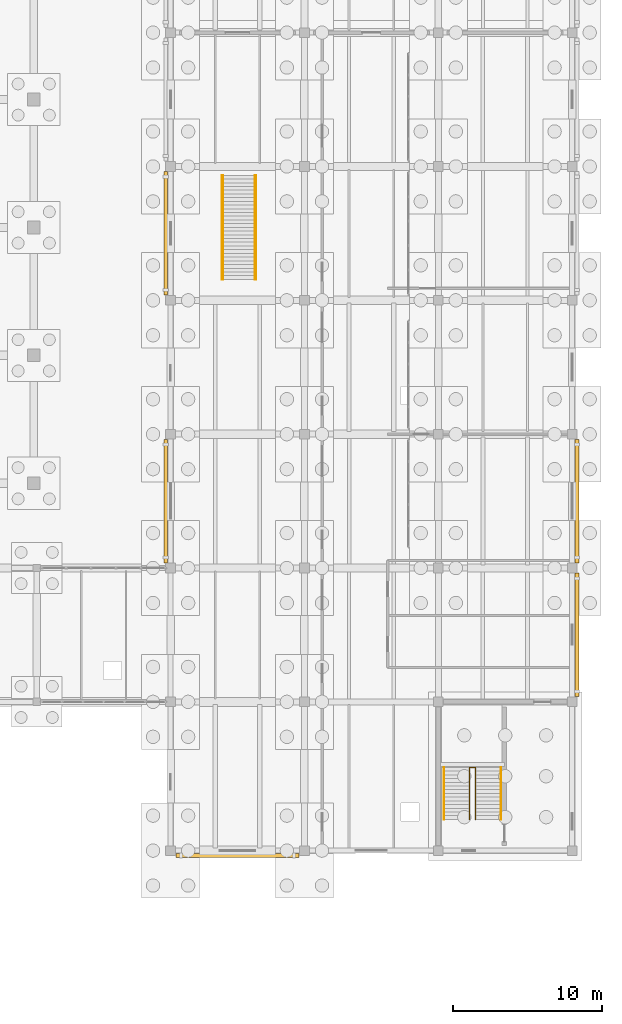
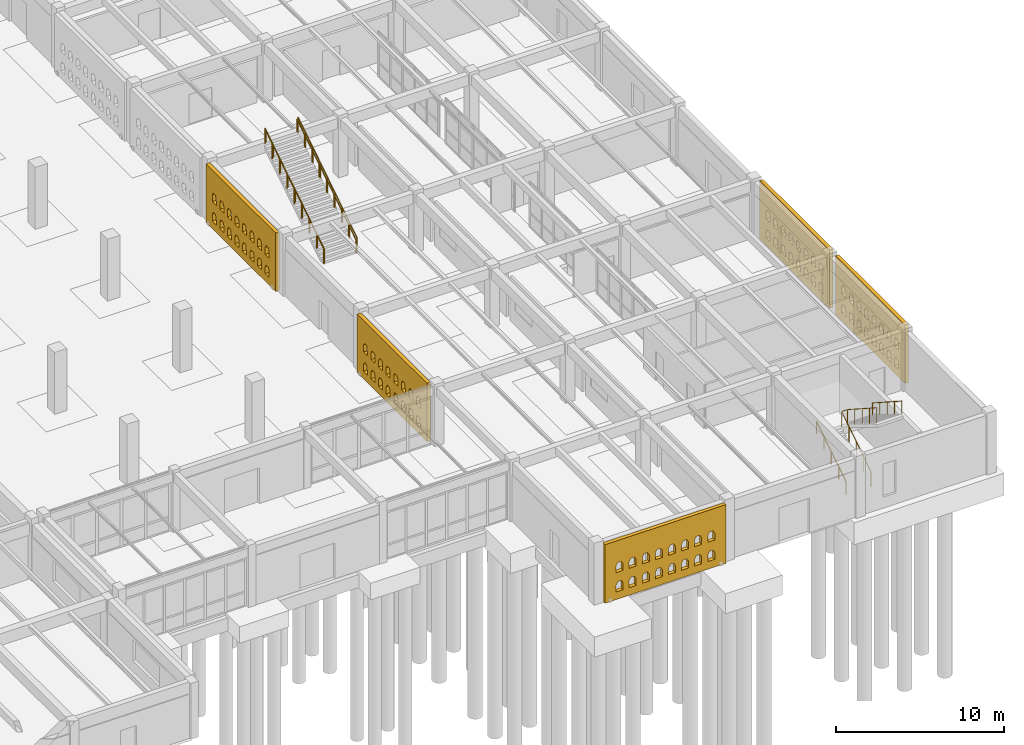
# One storey, part 183 of 186: 7 railings, 5 coverings.
"""IFC4 building model written with IfcOpenShell, lengths in metres."""

from ifc_helpers import new_model, si_unit, direction, frame, origin, origin_2d, place, context, subcontext, project, spatial, polyline, circle, outline, extrude, material, layer, layer_set, type_object, element, save


model = new_model("IFC4")

# Units and contexts
model_context = context("Model", 3, precision=1e-05, world=origin(), true_north=direction((0.0, 1.0)))
body_context = subcontext(model_context, "Body", "Model", "MODEL_VIEW")
ifc_project = project(units=[si_unit("LENGTHUNIT", "METRE"), si_unit("AREAUNIT", "SQUARE_METRE"), si_unit("VOLUMEUNIT", "CUBIC_METRE"), si_unit("PLANEANGLEUNIT", "RADIAN"), si_unit("MASSUNIT", "GRAM", prefix="KILO")], contexts=[model_context])

# Site, building, storey
site_placement = place(None, origin())
site = spatial("IfcSite", under=ifc_project, at=site_placement, CompositionType="ELEMENT")
building_placement = place(site_placement, origin())
building = spatial("IfcBuilding", under=site, at=building_placement, Name="Ornek Quay Market", CompositionType="ELEMENT")
storey_placement = place(building_placement, origin())
storey = spatial("IfcBuildingStorey", under=building, at=storey_placement, Name="L00", CompositionType="ELEMENT", Elevation=0.0)

# Coverings
ifc_material_1 = material(Name="Frost-resistant facing clay brick M200 F100", Category="masonry")
ifc_layer = layer(ifc_material_1, 0.25, Name="Frost-resistant facing clay brick M200 F100", Category="masonry")
ifc_layer_set = layer_set([ifc_layer], Name="Frost-resistant facing clay brick M200 F100")
covering_type = type_object("IfcCoveringType", Name="COV-BRICK-LATTICE-250", PredefinedType="CLADDING", material=ifc_layer_set)
covering_1_placement = place(storey_placement, frame((152.669921875, 29.35009765625, 0.0), z_axis=(0.0, 0.0, 1.0), x_axis=(0.0, 1.0, 0.0)))
element("IfcCovering", 1, at=covering_1_placement, inside=storey, type_object=covering_type, Name="Arched brick lattice screen BLS-088", PredefinedType="CLADDING", context=body_context, shape_type="SweptSolid", body=[
    extrude(outline(polyline([(0.0, 0.0), (8.2998046875, 0.0), (8.2998046875, 4.25), (0.0, 4.25), (0.0, 0.0)]), holes=[polyline([(0.760009765625, 0.550048828125), (1.239990234375, 0.550048828125), (1.239990234375, 1.050048828125), (1.1201171875, 1.2578125), (0.8798828125, 1.2578125), (0.760009765625, 1.050048828125), (0.760009765625, 0.550048828125)]), polyline([(0.760009765625, 1.949951171875), (1.239990234375, 1.949951171875), (1.239990234375, 2.449951171875), (1.1201171875, 2.65771484375), (0.8798828125, 2.65771484375), (0.760009765625, 2.449951171875), (0.760009765625, 1.949951171875)]), polyline([(1.659912109375, 0.550048828125), (2.139892578125, 0.550048828125), (2.139892578125, 1.050048828125), (2.02001953125, 1.2578125), (1.780029296875, 1.2578125), (1.659912109375, 1.050048828125), (1.659912109375, 0.550048828125)]), polyline([(1.659912109375, 1.949951171875), (2.139892578125, 1.949951171875), (2.139892578125, 2.449951171875), (2.02001953125, 2.65771484375), (1.780029296875, 2.65771484375), (1.659912109375, 2.449951171875), (1.659912109375, 1.949951171875)]), polyline([(2.56005859375, 0.550048828125), (3.0400390625, 0.550048828125), (3.0400390625, 1.050048828125), (2.919921875, 1.2578125), (2.679931640625, 1.2578125), (2.56005859375, 1.050048828125), (2.56005859375, 0.550048828125)]), polyline([(2.56005859375, 1.949951171875), (3.0400390625, 1.949951171875), (3.0400390625, 2.449951171875), (2.919921875, 2.65771484375), (2.679931640625, 2.65771484375), (2.56005859375, 2.449951171875), (2.56005859375, 1.949951171875)]), polyline([(3.4599609375, 0.550048828125), (3.93994140625, 0.550048828125), (3.93994140625, 1.050048828125), (3.820068359375, 1.2578125), (3.580078125, 1.2578125), (3.4599609375, 1.050048828125), (3.4599609375, 0.550048828125)]), polyline([(3.4599609375, 1.949951171875), (3.93994140625, 1.949951171875), (3.93994140625, 2.449951171875), (3.820068359375, 2.65771484375), (3.580078125, 2.65771484375), (3.4599609375, 2.449951171875), (3.4599609375, 1.949951171875)]), polyline([(4.360107421875, 0.550048828125), (4.840087890625, 0.550048828125), (4.840087890625, 1.050048828125), (4.719970703125, 1.2578125), (4.47998046875, 1.2578125), (4.360107421875, 1.050048828125), (4.360107421875, 0.550048828125)]), polyline([(4.360107421875, 1.949951171875), (4.840087890625, 1.949951171875), (4.840087890625, 2.449951171875), (4.719970703125, 2.65771484375), (4.47998046875, 2.65771484375), (4.360107421875, 2.449951171875), (4.360107421875, 1.949951171875)]), polyline([(5.260009765625, 0.550048828125), (5.739990234375, 0.550048828125), (5.739990234375, 1.050048828125), (5.6201171875, 1.2578125), (5.3798828125, 1.2578125), (5.260009765625, 1.050048828125), (5.260009765625, 0.550048828125)]), polyline([(5.260009765625, 1.949951171875), (5.739990234375, 1.949951171875), (5.739990234375, 2.449951171875), (5.6201171875, 2.65771484375), (5.3798828125, 2.65771484375), (5.260009765625, 2.449951171875), (5.260009765625, 1.949951171875)]), polyline([(6.159912109375, 0.550048828125), (6.639892578125, 0.550048828125), (6.639892578125, 1.050048828125), (6.52001953125, 1.2578125), (6.280029296875, 1.2578125), (6.159912109375, 1.050048828125), (6.159912109375, 0.550048828125)]), polyline([(6.159912109375, 1.949951171875), (6.639892578125, 1.949951171875), (6.639892578125, 2.449951171875), (6.52001953125, 2.65771484375), (6.280029296875, 2.65771484375), (6.159912109375, 2.449951171875), (6.159912109375, 1.949951171875)]), polyline([(7.06005859375, 0.550048828125), (7.5400390625, 0.550048828125), (7.5400390625, 1.050048828125), (7.419921875, 1.2578125), (7.179931640625, 1.2578125), (7.06005859375, 1.050048828125), (7.06005859375, 0.550048828125)]), polyline([(7.06005859375, 1.949951171875), (7.5400390625, 1.949951171875), (7.5400390625, 2.449951171875), (7.419921875, 2.65771484375), (7.179931640625, 2.65771484375), (7.06005859375, 2.449951171875), (7.06005859375, 1.949951171875)])]), frame((0.0, 0.125, 0.0), z_axis=(0.0, -1.0, 0.0), x_axis=(1.0, 0.0, 0.0)), (0.0, 0.0, 1.0), 0.25),
])
covering_2_placement = place(storey_placement, frame((152.669921875, 47.35009765625, 0.0), z_axis=(0.0, 0.0, 1.0), x_axis=(0.0, 1.0, 0.0)))
element("IfcCovering", 2, at=covering_2_placement, inside=storey, type_object=covering_type, Name="Arched brick lattice screen BLS-089", PredefinedType="CLADDING", context=body_context, shape_type="SweptSolid", body=[
    extrude(outline(polyline([(0.0, 0.0), (8.2998046875, 0.0), (8.2998046875, 4.25), (0.0, 4.25), (0.0, 0.0)]), holes=[polyline([(0.760009765625, 0.550048828125), (1.239990234375, 0.550048828125), (1.239990234375, 1.050048828125), (1.1201171875, 1.2578125), (0.8798828125, 1.2578125), (0.760009765625, 1.050048828125), (0.760009765625, 0.550048828125)]), polyline([(0.760009765625, 1.949951171875), (1.239990234375, 1.949951171875), (1.239990234375, 2.449951171875), (1.1201171875, 2.65771484375), (0.8798828125, 2.65771484375), (0.760009765625, 2.449951171875), (0.760009765625, 1.949951171875)]), polyline([(1.659912109375, 0.550048828125), (2.139892578125, 0.550048828125), (2.139892578125, 1.050048828125), (2.02001953125, 1.2578125), (1.780029296875, 1.2578125), (1.659912109375, 1.050048828125), (1.659912109375, 0.550048828125)]), polyline([(1.659912109375, 1.949951171875), (2.139892578125, 1.949951171875), (2.139892578125, 2.449951171875), (2.02001953125, 2.65771484375), (1.780029296875, 2.65771484375), (1.659912109375, 2.449951171875), (1.659912109375, 1.949951171875)]), polyline([(2.56005859375, 0.550048828125), (3.0400390625, 0.550048828125), (3.0400390625, 1.050048828125), (2.919921875, 1.2578125), (2.679931640625, 1.2578125), (2.56005859375, 1.050048828125), (2.56005859375, 0.550048828125)]), polyline([(2.56005859375, 1.949951171875), (3.0400390625, 1.949951171875), (3.0400390625, 2.449951171875), (2.919921875, 2.65771484375), (2.679931640625, 2.65771484375), (2.56005859375, 2.449951171875), (2.56005859375, 1.949951171875)]), polyline([(3.4599609375, 0.550048828125), (3.93994140625, 0.550048828125), (3.93994140625, 1.050048828125), (3.820068359375, 1.2578125), (3.580078125, 1.2578125), (3.4599609375, 1.050048828125), (3.4599609375, 0.550048828125)]), polyline([(3.4599609375, 1.949951171875), (3.93994140625, 1.949951171875), (3.93994140625, 2.449951171875), (3.820068359375, 2.65771484375), (3.580078125, 2.65771484375), (3.4599609375, 2.449951171875), (3.4599609375, 1.949951171875)]), polyline([(4.360107421875, 0.550048828125), (4.840087890625, 0.550048828125), (4.840087890625, 1.050048828125), (4.719970703125, 1.2578125), (4.47998046875, 1.2578125), (4.360107421875, 1.050048828125), (4.360107421875, 0.550048828125)]), polyline([(4.360107421875, 1.949951171875), (4.840087890625, 1.949951171875), (4.840087890625, 2.449951171875), (4.719970703125, 2.65771484375), (4.47998046875, 2.65771484375), (4.360107421875, 2.449951171875), (4.360107421875, 1.949951171875)]), polyline([(5.260009765625, 0.550048828125), (5.739990234375, 0.550048828125), (5.739990234375, 1.050048828125), (5.6201171875, 1.2578125), (5.3798828125, 1.2578125), (5.260009765625, 1.050048828125), (5.260009765625, 0.550048828125)]), polyline([(5.260009765625, 1.949951171875), (5.739990234375, 1.949951171875), (5.739990234375, 2.449951171875), (5.6201171875, 2.65771484375), (5.3798828125, 2.65771484375), (5.260009765625, 2.449951171875), (5.260009765625, 1.949951171875)]), polyline([(6.159912109375, 0.550048828125), (6.639892578125, 0.550048828125), (6.639892578125, 1.050048828125), (6.52001953125, 1.2578125), (6.280029296875, 1.2578125), (6.159912109375, 1.050048828125), (6.159912109375, 0.550048828125)]), polyline([(6.159912109375, 1.949951171875), (6.639892578125, 1.949951171875), (6.639892578125, 2.449951171875), (6.52001953125, 2.65771484375), (6.280029296875, 2.65771484375), (6.159912109375, 2.449951171875), (6.159912109375, 1.949951171875)]), polyline([(7.06005859375, 0.550048828125), (7.5400390625, 0.550048828125), (7.5400390625, 1.050048828125), (7.419921875, 1.2578125), (7.179931640625, 1.2578125), (7.06005859375, 1.050048828125), (7.06005859375, 0.550048828125)]), polyline([(7.06005859375, 1.949951171875), (7.5400390625, 1.949951171875), (7.5400390625, 2.449951171875), (7.419921875, 2.65771484375), (7.179931640625, 2.65771484375), (7.06005859375, 2.449951171875), (7.06005859375, 1.949951171875)])]), frame((0.0, 0.125, 0.0), z_axis=(0.0, -1.0, 0.0), x_axis=(1.0, 0.0, 0.0)), (0.0, 0.0, 1.0), 0.25),
])
covering_3_placement = place(storey_placement, frame((180.330078125, 20.35009765625, 0.0), z_axis=(0.0, 0.0, 1.0), x_axis=(0.0, 1.0, 0.0)))
element("IfcCovering", 3, at=covering_3_placement, inside=storey, type_object=covering_type, Name="Arched brick lattice screen BLS-091", PredefinedType="CLADDING", context=body_context, shape_type="SweptSolid", body=[
    extrude(outline(polyline([(0.0, 0.0), (8.2998046875, 0.0), (8.2998046875, 4.25), (0.0, 4.25), (0.0, 0.0)]), holes=[polyline([(0.760009765625, 0.550048828125), (1.239990234375, 0.550048828125), (1.239990234375, 1.050048828125), (1.1201171875, 1.2578125), (0.8798828125, 1.2578125), (0.760009765625, 1.050048828125), (0.760009765625, 0.550048828125)]), polyline([(0.760009765625, 1.949951171875), (1.239990234375, 1.949951171875), (1.239990234375, 2.449951171875), (1.1201171875, 2.65771484375), (0.8798828125, 2.65771484375), (0.760009765625, 2.449951171875), (0.760009765625, 1.949951171875)]), polyline([(1.659912109375, 0.550048828125), (2.139892578125, 0.550048828125), (2.139892578125, 1.050048828125), (2.02001953125, 1.2578125), (1.780029296875, 1.2578125), (1.659912109375, 1.050048828125), (1.659912109375, 0.550048828125)]), polyline([(1.659912109375, 1.949951171875), (2.139892578125, 1.949951171875), (2.139892578125, 2.449951171875), (2.02001953125, 2.65771484375), (1.780029296875, 2.65771484375), (1.659912109375, 2.449951171875), (1.659912109375, 1.949951171875)]), polyline([(2.56005859375, 0.550048828125), (3.0400390625, 0.550048828125), (3.0400390625, 1.050048828125), (2.919921875, 1.2578125), (2.679931640625, 1.2578125), (2.56005859375, 1.050048828125), (2.56005859375, 0.550048828125)]), polyline([(2.56005859375, 1.949951171875), (3.0400390625, 1.949951171875), (3.0400390625, 2.449951171875), (2.919921875, 2.65771484375), (2.679931640625, 2.65771484375), (2.56005859375, 2.449951171875), (2.56005859375, 1.949951171875)]), polyline([(3.4599609375, 0.550048828125), (3.93994140625, 0.550048828125), (3.93994140625, 1.050048828125), (3.820068359375, 1.2578125), (3.580078125, 1.2578125), (3.4599609375, 1.050048828125), (3.4599609375, 0.550048828125)]), polyline([(3.4599609375, 1.949951171875), (3.93994140625, 1.949951171875), (3.93994140625, 2.449951171875), (3.820068359375, 2.65771484375), (3.580078125, 2.65771484375), (3.4599609375, 2.449951171875), (3.4599609375, 1.949951171875)]), polyline([(4.360107421875, 0.550048828125), (4.840087890625, 0.550048828125), (4.840087890625, 1.050048828125), (4.719970703125, 1.2578125), (4.47998046875, 1.2578125), (4.360107421875, 1.050048828125), (4.360107421875, 0.550048828125)]), polyline([(4.360107421875, 1.949951171875), (4.840087890625, 1.949951171875), (4.840087890625, 2.449951171875), (4.719970703125, 2.65771484375), (4.47998046875, 2.65771484375), (4.360107421875, 2.449951171875), (4.360107421875, 1.949951171875)]), polyline([(5.260009765625, 0.550048828125), (5.739990234375, 0.550048828125), (5.739990234375, 1.050048828125), (5.6201171875, 1.2578125), (5.3798828125, 1.2578125), (5.260009765625, 1.050048828125), (5.260009765625, 0.550048828125)]), polyline([(5.260009765625, 1.949951171875), (5.739990234375, 1.949951171875), (5.739990234375, 2.449951171875), (5.6201171875, 2.65771484375), (5.3798828125, 2.65771484375), (5.260009765625, 2.449951171875), (5.260009765625, 1.949951171875)]), polyline([(6.159912109375, 0.550048828125), (6.639892578125, 0.550048828125), (6.639892578125, 1.050048828125), (6.52001953125, 1.2578125), (6.280029296875, 1.2578125), (6.159912109375, 1.050048828125), (6.159912109375, 0.550048828125)]), polyline([(6.159912109375, 1.949951171875), (6.639892578125, 1.949951171875), (6.639892578125, 2.449951171875), (6.52001953125, 2.65771484375), (6.280029296875, 2.65771484375), (6.159912109375, 2.449951171875), (6.159912109375, 1.949951171875)]), polyline([(7.06005859375, 0.550048828125), (7.5400390625, 0.550048828125), (7.5400390625, 1.050048828125), (7.419921875, 1.2578125), (7.179931640625, 1.2578125), (7.06005859375, 1.050048828125), (7.06005859375, 0.550048828125)]), polyline([(7.06005859375, 1.949951171875), (7.5400390625, 1.949951171875), (7.5400390625, 2.449951171875), (7.419921875, 2.65771484375), (7.179931640625, 2.65771484375), (7.06005859375, 2.449951171875), (7.06005859375, 1.949951171875)])]), frame((0.0, 0.125, 0.0), z_axis=(0.0, -1.0, 0.0), x_axis=(1.0, 0.0, 0.0)), (0.0, 0.0, 1.0), 0.25),
])
covering_4_placement = place(storey_placement, frame((180.330078125, 29.35009765625, 0.0), z_axis=(0.0, 0.0, 1.0), x_axis=(0.0, 1.0, 0.0)))
element("IfcCovering", 4, at=covering_4_placement, inside=storey, type_object=covering_type, Name="Arched brick lattice screen BLS-092", PredefinedType="CLADDING", context=body_context, shape_type="SweptSolid", body=[
    extrude(outline(polyline([(0.0, 0.0), (8.2998046875, 0.0), (8.2998046875, 4.25), (0.0, 4.25), (0.0, 0.0)]), holes=[polyline([(0.760009765625, 0.550048828125), (1.239990234375, 0.550048828125), (1.239990234375, 1.050048828125), (1.1201171875, 1.2578125), (0.8798828125, 1.2578125), (0.760009765625, 1.050048828125), (0.760009765625, 0.550048828125)]), polyline([(0.760009765625, 1.949951171875), (1.239990234375, 1.949951171875), (1.239990234375, 2.449951171875), (1.1201171875, 2.65771484375), (0.8798828125, 2.65771484375), (0.760009765625, 2.449951171875), (0.760009765625, 1.949951171875)]), polyline([(1.659912109375, 0.550048828125), (2.139892578125, 0.550048828125), (2.139892578125, 1.050048828125), (2.02001953125, 1.2578125), (1.780029296875, 1.2578125), (1.659912109375, 1.050048828125), (1.659912109375, 0.550048828125)]), polyline([(1.659912109375, 1.949951171875), (2.139892578125, 1.949951171875), (2.139892578125, 2.449951171875), (2.02001953125, 2.65771484375), (1.780029296875, 2.65771484375), (1.659912109375, 2.449951171875), (1.659912109375, 1.949951171875)]), polyline([(2.56005859375, 0.550048828125), (3.0400390625, 0.550048828125), (3.0400390625, 1.050048828125), (2.919921875, 1.2578125), (2.679931640625, 1.2578125), (2.56005859375, 1.050048828125), (2.56005859375, 0.550048828125)]), polyline([(2.56005859375, 1.949951171875), (3.0400390625, 1.949951171875), (3.0400390625, 2.449951171875), (2.919921875, 2.65771484375), (2.679931640625, 2.65771484375), (2.56005859375, 2.449951171875), (2.56005859375, 1.949951171875)]), polyline([(3.4599609375, 0.550048828125), (3.93994140625, 0.550048828125), (3.93994140625, 1.050048828125), (3.820068359375, 1.2578125), (3.580078125, 1.2578125), (3.4599609375, 1.050048828125), (3.4599609375, 0.550048828125)]), polyline([(3.4599609375, 1.949951171875), (3.93994140625, 1.949951171875), (3.93994140625, 2.449951171875), (3.820068359375, 2.65771484375), (3.580078125, 2.65771484375), (3.4599609375, 2.449951171875), (3.4599609375, 1.949951171875)]), polyline([(4.360107421875, 0.550048828125), (4.840087890625, 0.550048828125), (4.840087890625, 1.050048828125), (4.719970703125, 1.2578125), (4.47998046875, 1.2578125), (4.360107421875, 1.050048828125), (4.360107421875, 0.550048828125)]), polyline([(4.360107421875, 1.949951171875), (4.840087890625, 1.949951171875), (4.840087890625, 2.449951171875), (4.719970703125, 2.65771484375), (4.47998046875, 2.65771484375), (4.360107421875, 2.449951171875), (4.360107421875, 1.949951171875)]), polyline([(5.260009765625, 0.550048828125), (5.739990234375, 0.550048828125), (5.739990234375, 1.050048828125), (5.6201171875, 1.2578125), (5.3798828125, 1.2578125), (5.260009765625, 1.050048828125), (5.260009765625, 0.550048828125)]), polyline([(5.260009765625, 1.949951171875), (5.739990234375, 1.949951171875), (5.739990234375, 2.449951171875), (5.6201171875, 2.65771484375), (5.3798828125, 2.65771484375), (5.260009765625, 2.449951171875), (5.260009765625, 1.949951171875)]), polyline([(6.159912109375, 0.550048828125), (6.639892578125, 0.550048828125), (6.639892578125, 1.050048828125), (6.52001953125, 1.2578125), (6.280029296875, 1.2578125), (6.159912109375, 1.050048828125), (6.159912109375, 0.550048828125)]), polyline([(6.159912109375, 1.949951171875), (6.639892578125, 1.949951171875), (6.639892578125, 2.449951171875), (6.52001953125, 2.65771484375), (6.280029296875, 2.65771484375), (6.159912109375, 2.449951171875), (6.159912109375, 1.949951171875)]), polyline([(7.06005859375, 0.550048828125), (7.5400390625, 0.550048828125), (7.5400390625, 1.050048828125), (7.419921875, 1.2578125), (7.179931640625, 1.2578125), (7.06005859375, 1.050048828125), (7.06005859375, 0.550048828125)]), polyline([(7.06005859375, 1.949951171875), (7.5400390625, 1.949951171875), (7.5400390625, 2.449951171875), (7.419921875, 2.65771484375), (7.179931640625, 2.65771484375), (7.06005859375, 2.449951171875), (7.06005859375, 1.949951171875)])]), frame((0.0, 0.125, 0.0), z_axis=(0.0, -1.0, 0.0), x_axis=(1.0, 0.0, 0.0)), (0.0, 0.0, 1.0), 0.25),
])
covering_5_placement = place(storey_placement, frame((153.35009765625, 9.669921875, 0.0), z_axis=(0.0, 0.0, 1.0), x_axis=(1.0, 0.0, 0.0)))
element("IfcCovering", 5, at=covering_5_placement, inside=storey, type_object=covering_type, Name="Arched brick lattice screen BLS-095", PredefinedType="CLADDING", context=body_context, shape_type="SweptSolid", body=[
    extrude(outline(polyline([(0.0, 0.0), (8.2998046875, 0.0), (8.2998046875, 4.25), (0.0, 4.25), (0.0, 0.0)]), holes=[polyline([(0.760009765625, 0.550048828125), (1.239990234375, 0.550048828125), (1.239990234375, 1.050048828125), (1.1201171875, 1.2578125), (0.8798828125, 1.2578125), (0.760009765625, 1.050048828125), (0.760009765625, 0.550048828125)]), polyline([(0.760009765625, 1.949951171875), (1.239990234375, 1.949951171875), (1.239990234375, 2.449951171875), (1.1201171875, 2.65771484375), (0.8798828125, 2.65771484375), (0.760009765625, 2.449951171875), (0.760009765625, 1.949951171875)]), polyline([(1.659912109375, 0.550048828125), (2.139892578125, 0.550048828125), (2.139892578125, 1.050048828125), (2.02001953125, 1.2578125), (1.780029296875, 1.2578125), (1.659912109375, 1.050048828125), (1.659912109375, 0.550048828125)]), polyline([(1.659912109375, 1.949951171875), (2.139892578125, 1.949951171875), (2.139892578125, 2.449951171875), (2.02001953125, 2.65771484375), (1.780029296875, 2.65771484375), (1.659912109375, 2.449951171875), (1.659912109375, 1.949951171875)]), polyline([(2.56005859375, 0.550048828125), (3.0400390625, 0.550048828125), (3.0400390625, 1.050048828125), (2.919921875, 1.2578125), (2.679931640625, 1.2578125), (2.56005859375, 1.050048828125), (2.56005859375, 0.550048828125)]), polyline([(2.56005859375, 1.949951171875), (3.0400390625, 1.949951171875), (3.0400390625, 2.449951171875), (2.919921875, 2.65771484375), (2.679931640625, 2.65771484375), (2.56005859375, 2.449951171875), (2.56005859375, 1.949951171875)]), polyline([(3.4599609375, 0.550048828125), (3.93994140625, 0.550048828125), (3.93994140625, 1.050048828125), (3.820068359375, 1.2578125), (3.580078125, 1.2578125), (3.4599609375, 1.050048828125), (3.4599609375, 0.550048828125)]), polyline([(3.4599609375, 1.949951171875), (3.93994140625, 1.949951171875), (3.93994140625, 2.449951171875), (3.820068359375, 2.65771484375), (3.580078125, 2.65771484375), (3.4599609375, 2.449951171875), (3.4599609375, 1.949951171875)]), polyline([(4.360107421875, 0.550048828125), (4.840087890625, 0.550048828125), (4.840087890625, 1.050048828125), (4.719970703125, 1.2578125), (4.47998046875, 1.2578125), (4.360107421875, 1.050048828125), (4.360107421875, 0.550048828125)]), polyline([(4.360107421875, 1.949951171875), (4.840087890625, 1.949951171875), (4.840087890625, 2.449951171875), (4.719970703125, 2.65771484375), (4.47998046875, 2.65771484375), (4.360107421875, 2.449951171875), (4.360107421875, 1.949951171875)]), polyline([(5.260009765625, 0.550048828125), (5.739990234375, 0.550048828125), (5.739990234375, 1.050048828125), (5.6201171875, 1.2578125), (5.3798828125, 1.2578125), (5.260009765625, 1.050048828125), (5.260009765625, 0.550048828125)]), polyline([(5.260009765625, 1.949951171875), (5.739990234375, 1.949951171875), (5.739990234375, 2.449951171875), (5.6201171875, 2.65771484375), (5.3798828125, 2.65771484375), (5.260009765625, 2.449951171875), (5.260009765625, 1.949951171875)]), polyline([(6.159912109375, 0.550048828125), (6.639892578125, 0.550048828125), (6.639892578125, 1.050048828125), (6.52001953125, 1.2578125), (6.280029296875, 1.2578125), (6.159912109375, 1.050048828125), (6.159912109375, 0.550048828125)]), polyline([(6.159912109375, 1.949951171875), (6.639892578125, 1.949951171875), (6.639892578125, 2.449951171875), (6.52001953125, 2.65771484375), (6.280029296875, 2.65771484375), (6.159912109375, 2.449951171875), (6.159912109375, 1.949951171875)]), polyline([(7.06005859375, 0.550048828125), (7.5400390625, 0.550048828125), (7.5400390625, 1.050048828125), (7.419921875, 1.2578125), (7.179931640625, 1.2578125), (7.06005859375, 1.050048828125), (7.06005859375, 0.550048828125)]), polyline([(7.06005859375, 1.949951171875), (7.5400390625, 1.949951171875), (7.5400390625, 2.449951171875), (7.419921875, 2.65771484375), (7.179931640625, 2.65771484375), (7.06005859375, 2.449951171875), (7.06005859375, 1.949951171875)])]), frame((0.0, 0.125, 0.0), z_axis=(0.0, -1.0, 0.0), x_axis=(1.0, 0.0, 0.0)), (0.0, 0.0, 1.0), 0.25),
])

# Railings
ifc_material_2 = material(Name="Brushed stainless steel 316", Category="steel")
railing_type_1 = type_object("IfcRailingType", Name="RL-GUARD-STAIR-1100", PredefinedType="GUARDRAIL", material=ifc_material_2)
railing_1_placement = place(storey_placement, frame((173.10009765625, 12.095947265625, 0.0)))
element("IfcRailing", 6, at=railing_1_placement, inside=storey, type_object=railing_type_1, Name="Railing GR-03-053", PredefinedType="GUARDRAIL", context=body_context, shape_type="SweptSolid", body=[
    extrude(circle(Radius=0.02392578125, at=origin_2d()), frame((0.0, 0.0, 1.09619140625), z_axis=(0.0, 0.840903622667, 0.541184901292), x_axis=(-1.0, 0.0, 0.0)), (0.0, 0.0, 1.0), 4.12744140625),
    extrude(circle(Radius=0.02392578125, at=origin_2d()), frame((0.030029296875, 3.49609375, 3.34619140625), z_axis=(1.0, 0.0, 0.0), x_axis=(0.0, 1.0, 0.0)), (0.0, 0.0, 1.0), 0.33984375),
    extrude(circle(Radius=0.02392578125, at=origin_2d()), frame((0.39990234375, 3.470947265625, 3.3623046875), z_axis=(0.0, -0.840610876962, 0.541639505145), x_axis=(1.0, 0.0, 0.0)), (0.0, 0.0, 1.0), 4.1240234375),
    extrude(circle(Radius=0.02099609375, at=origin_2d()), origin(), (0.0, 0.0, 1.0), 1.068115234375),
    extrude(circle(Radius=0.02099609375, at=origin_2d()), frame((0.0, 0.8740234375, 0.5625)), (0.0, 0.0, 1.0), 1.068115234375),
    extrude(circle(Radius=0.02099609375, at=origin_2d()), frame((0.0, 1.748046875, 1.125)), (0.0, 0.0, 1.0), 1.068115234375),
    extrude(circle(Radius=0.02099609375, at=origin_2d()), frame((0.0, 2.6220703125, 1.6875)), (0.0, 0.0, 1.0), 1.068115234375),
    extrude(circle(Radius=0.02099609375, at=origin_2d()), frame((0.0, 3.49609375, 2.25)), (0.0, 0.0, 1.0), 1.068115234375),
    extrude(circle(Radius=0.02099609375, at=origin_2d()), frame((0.39990234375, 3.49609375, 2.25)), (0.0, 0.0, 1.0), 1.068115234375),
    extrude(circle(Radius=0.02099609375, at=origin_2d()), frame((0.39990234375, 2.623046875, 2.8125)), (0.0, 0.0, 1.0), 1.068115234375),
    extrude(circle(Radius=0.02099609375, at=origin_2d()), frame((0.39990234375, 1.75, 3.375)), (0.0, 0.0, 1.0), 1.068115234375),
    extrude(circle(Radius=0.02099609375, at=origin_2d()), frame((0.39990234375, 0.877197265625, 3.9375)), (0.0, 0.0, 1.0), 1.068115234375),
    extrude(circle(Radius=0.02099609375, at=origin_2d()), frame((0.39990234375, 0.004150390625, 4.5)), (0.0, 0.0, 1.0), 1.068115234375),
])
for number, where, name in (
    (7, (156.4599609375, 48.404052734375, 0.0), "Railing GR-03-105"),
    (8, (158.739990234375, 48.404052734375, 0.0), "Railing GR-03-106"),
):
    element("IfcRailing", number, at=place(storey_placement, frame(where)), inside=storey, type_object=railing_type_1, Name=name, PredefinedType="GUARDRAIL", context=body_context, shape_type="SweptSolid", body=[
        extrude(circle(Radius=0.02392578125, at=origin_2d()), frame((0.0, 0.0, 1.09619140625), z_axis=(0.0, 0.841032540973, 0.540984533073), x_axis=(-1.0, 0.0, 0.0)), (0.0, 0.0, 1.0), 8.318115234375),
        extrude(circle(Radius=0.02099609375, at=origin_2d()), origin(), (0.0, 0.0, 1.0), 1.068115234375),
        extrude(circle(Radius=0.02099609375, at=origin_2d()), frame((0.0, 0.87451171875, 0.5625)), (0.0, 0.0, 1.0), 1.068115234375),
        extrude(circle(Radius=0.02099609375, at=origin_2d()), frame((0.0, 1.7490234375, 1.125)), (0.0, 0.0, 1.0), 1.068115234375),
        extrude(circle(Radius=0.02099609375, at=origin_2d()), frame((0.0, 2.62353515625, 1.6875)), (0.0, 0.0, 1.0), 1.068115234375),
        extrude(circle(Radius=0.02099609375, at=origin_2d()), frame((0.0, 3.498046875, 2.25)), (0.0, 0.0, 1.0), 1.068115234375),
        extrude(circle(Radius=0.02099609375, at=origin_2d()), frame((0.0, 4.372314453125, 2.8125)), (0.0, 0.0, 1.0), 1.068115234375),
        extrude(circle(Radius=0.02099609375, at=origin_2d()), frame((0.0, 5.246826171875, 3.375)), (0.0, 0.0, 1.0), 1.068115234375),
        extrude(circle(Radius=0.02099609375, at=origin_2d()), frame((0.0, 6.121337890625, 3.9375)), (0.0, 0.0, 1.0), 1.068115234375),
        extrude(circle(Radius=0.02099609375, at=origin_2d()), frame((0.0, 6.995849609375, 4.5)), (0.0, 0.0, 1.0), 1.068115234375),
    ])
railing_type_2 = type_object("IfcRailingType", Name="RL-HANDRAIL-920", PredefinedType="HANDRAIL", material=ifc_material_2)
railing_2_placement = place(storey_placement, frame((171.3798828125, 12.095947265625, 0.080078125)))
element("IfcRailing", 9, at=railing_2_placement, inside=storey, type_object=railing_type_2, Name="Railing HR-01-054", PredefinedType="HANDRAIL", context=body_context, shape_type="SweptSolid", body=[
    extrude(circle(Radius=0.02392578125, at=origin_2d()), frame((0.0, 0.0, 0.89599609375), z_axis=(0.0, 0.840903622667, 0.541184901292), x_axis=(-1.0, 0.0, 0.0)), (0.0, 0.0, 1.0), 4.157470703125),
    extrude(circle(Radius=0.02099609375, at=origin_2d()), origin(), (0.0, 0.0, 1.0), 0.867919921875),
    extrude(circle(Radius=0.02099609375, at=origin_2d()), frame((0.0, 0.8740234375, 0.5625)), (0.0, 0.0, 1.0), 0.867919921875),
    extrude(circle(Radius=0.02099609375, at=origin_2d()), frame((0.0, 1.748046875, 1.125)), (0.0, 0.0, 1.0), 0.867919921875),
    extrude(circle(Radius=0.02099609375, at=origin_2d()), frame((0.0, 2.6220703125, 1.6875)), (0.0, 0.0, 1.0), 0.867919921875),
    extrude(circle(Radius=0.02099609375, at=origin_2d()), frame((0.0, 3.49609375, 2.25)), (0.0, 0.0, 1.0), 0.867919921875),
])
railing_3_placement = place(storey_placement, frame((175.219970703125, 15.592041015625, 2.330078125)))
element("IfcRailing", 10, at=railing_3_placement, inside=storey, type_object=railing_type_2, Name="Railing HR-01-055", PredefinedType="HANDRAIL", context=body_context, shape_type="SweptSolid", body=[
    extrude(circle(Radius=0.02392578125, at=origin_2d()), frame((0.0, 0.0, 0.89599609375), z_axis=(0.0, -0.840610876962, 0.541639505145), x_axis=(1.0, 0.0, 0.0)), (0.0, 0.0, 1.0), 4.154052734375),
    extrude(circle(Radius=0.02099609375, at=origin_2d()), origin(), (0.0, 0.0, 1.0), 0.867919921875),
    extrude(circle(Radius=0.02099609375, at=origin_2d()), frame((0.0, -0.873046875, 0.5625)), (0.0, 0.0, 1.0), 0.867919921875),
    extrude(circle(Radius=0.02099609375, at=origin_2d()), frame((0.0, -1.74609375, 1.125)), (0.0, 0.0, 1.0), 0.867919921875),
    extrude(circle(Radius=0.02099609375, at=origin_2d()), frame((0.0, -2.618896484375, 1.6875)), (0.0, 0.0, 1.0), 0.867919921875),
    extrude(circle(Radius=0.02099609375, at=origin_2d()), frame((0.0, -3.491943359375, 2.25)), (0.0, 0.0, 1.0), 0.867919921875),
])
for number, where, name in (
    (11, (156.52001953125, 48.404052734375, 0.080078125), "Railing HR-01-107"),
    (12, (158.679931640625, 48.404052734375, 0.080078125), "Railing HR-01-108"),
):
    element("IfcRailing", number, at=place(storey_placement, frame(where)), inside=storey, type_object=railing_type_2, Name=name, PredefinedType="HANDRAIL", context=body_context, shape_type="SweptSolid", body=[
        extrude(circle(Radius=0.02392578125, at=origin_2d()), frame((0.0, 0.0, 0.89599609375), z_axis=(0.0, 0.841032540973, 0.540984533073), x_axis=(-1.0, 0.0, 0.0)), (0.0, 0.0, 1.0), 8.318115234375),
        extrude(circle(Radius=0.02099609375, at=origin_2d()), origin(), (0.0, 0.0, 1.0), 0.867919921875),
        extrude(circle(Radius=0.02099609375, at=origin_2d()), frame((0.0, 0.87451171875, 0.5625)), (0.0, 0.0, 1.0), 0.867919921875),
        extrude(circle(Radius=0.02099609375, at=origin_2d()), frame((0.0, 1.7490234375, 1.125)), (0.0, 0.0, 1.0), 0.867919921875),
        extrude(circle(Radius=0.02099609375, at=origin_2d()), frame((0.0, 2.62353515625, 1.6875)), (0.0, 0.0, 1.0), 0.867919921875),
        extrude(circle(Radius=0.02099609375, at=origin_2d()), frame((0.0, 3.498046875, 2.25)), (0.0, 0.0, 1.0), 0.867919921875),
        extrude(circle(Radius=0.02099609375, at=origin_2d()), frame((0.0, 4.372314453125, 2.8125)), (0.0, 0.0, 1.0), 0.867919921875),
        extrude(circle(Radius=0.02099609375, at=origin_2d()), frame((0.0, 5.246826171875, 3.375)), (0.0, 0.0, 1.0), 0.867919921875),
        extrude(circle(Radius=0.02099609375, at=origin_2d()), frame((0.0, 6.121337890625, 3.9375)), (0.0, 0.0, 1.0), 0.867919921875),
        extrude(circle(Radius=0.02099609375, at=origin_2d()), frame((0.0, 6.995849609375, 4.5)), (0.0, 0.0, 1.0), 0.867919921875),
    ])

save(model, "model.ifc")
